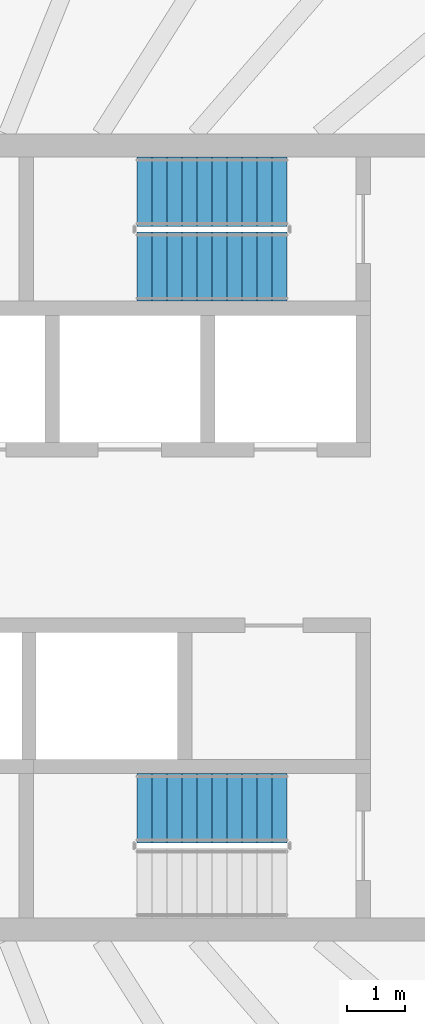
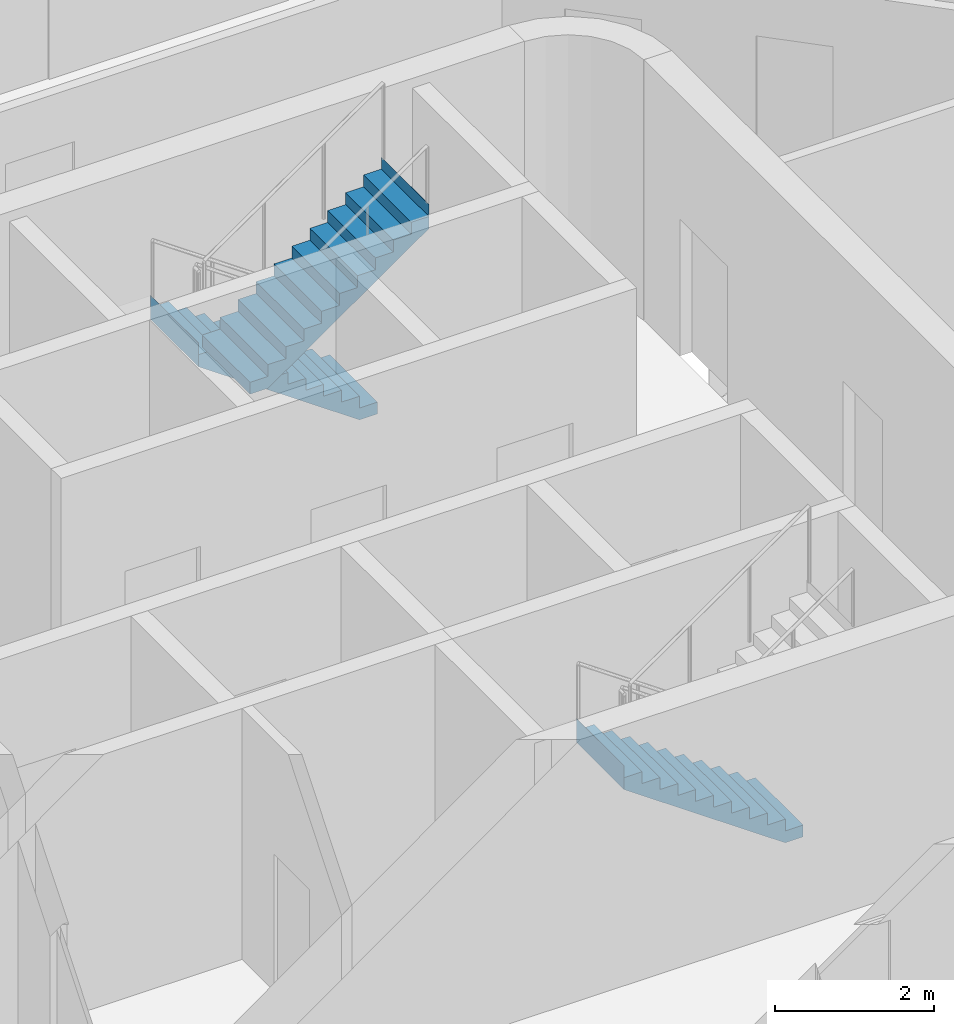
# One storey, part 12 of 17: 3 stair flights, 2 elements without a shape of their own.
"""IFC4 building model written with IfcOpenShell, lengths in metres."""

from ifc_helpers import new_model, si_unit, direction, frame, origin, place, context, subcontext, project, spatial, triangles, material, type_object, element, aggregate, save


model = new_model("IFC4")

# Units and contexts
model_context = context("Model", 3, precision=1e-05, world=origin(), true_north=direction((0.0, 1.0)))
body_context = subcontext(model_context, "Body", "Model", "MODEL_VIEW")
ifc_project = project(units=[si_unit("LENGTHUNIT", "METRE"), si_unit("AREAUNIT", "SQUARE_METRE"), si_unit("VOLUMEUNIT", "CUBIC_METRE"), si_unit("PLANEANGLEUNIT", "RADIAN"), si_unit("MASSUNIT", "GRAM", prefix="KILO")], contexts=[model_context])

# Site, building, storey
site_placement = place(None, origin())
site = spatial("IfcSite", under=ifc_project, at=site_placement, CompositionType="ELEMENT")
building_placement = place(site_placement, origin())
building = spatial("IfcBuilding", under=site, at=building_placement, Name="Sahrelin Media Tower", CompositionType="ELEMENT")
storey_placement = place(building_placement, frame((0.0, 0.0, 291.0)))
storey = spatial("IfcBuildingStorey", under=building, at=storey_placement, Name="L64", CompositionType="ELEMENT", Elevation=291.0)

# Stair, stair flights
ifc_material = material(Name="Concrete C40/50", Category="concrete")
stair_type = type_object("IfcStairType", Name="Exit stair 1200", PredefinedType="HALF_TURN_STAIR", material=ifc_material)
placement = place(storey_placement, origin())
stair_1 = element("IfcStair", 1, at=placement, inside=storey, type_object=stair_type, Name="L64 Exit stair ST3", PredefinedType="HALF_TURN_STAIR")
stair_flight_type = type_object("IfcStairFlightType", Name="Stair flight 1200", PredefinedType="STRAIGHT", material=ifc_material)
stair_flight_1_placement = place(storey_placement, frame((7.675048828125, 6.0, 0.0), z_axis=(0.0, 0.0, 1.0), x_axis=(-1.0, 0.0, 0.0)))
stair_flight_1 = element("IfcStairFlight", 2, at=stair_flight_1_placement, type_object=stair_flight_type, Name="ST3 flight 1", NumberOfRisers=11, NumberOfTreads=10, PredefinedType="STRAIGHT", RiserHeight=0.181818182, TreadLength=0.26, context=body_context, shape_type="Tessellation", body=[
    triangles([(0.261474609375, 0.60009765625, 0.0), (0.261474609375, 0.300048828125, 0.0), (0.261474609375, 0.0, 0.0), (0.261474609375, -0.300048828125, 0.0), (0.261474609375, -0.60009765625, 0.0), (2.60009765625, 0.60009765625, 1.63525390625), (2.60009765625, 0.300048828125, 1.63525390625), (2.60009765625, 0.0, 1.63525390625), (2.60009765625, -0.300048828125, 1.63525390625), (2.60009765625, -0.60009765625, 1.63525390625), (2.60009765625, 0.60009765625, 2.0), (2.60009765625, 0.300048828125, 2.0), (2.60009765625, 0.0, 2.0), (2.60009765625, -0.300048828125, 2.0), (2.60009765625, -0.60009765625, 2.0), (2.597900390625, 0.60009765625, 2.0), (2.597900390625, 0.300048828125, 2.0), (2.597900390625, 0.0, 2.0), (2.597900390625, -0.300048828125, 2.0), (2.597900390625, -0.60009765625, 2.0), (2.597900390625, 0.60009765625, 1.818115234375), (2.597900390625, 0.300048828125, 1.818115234375), (2.597900390625, 0.0, 1.818115234375), (2.597900390625, -0.300048828125, 1.818115234375), (2.597900390625, -0.60009765625, 1.818115234375), (2.340087890625, 0.60009765625, 1.818115234375), (2.340087890625, 0.300048828125, 1.818115234375), (2.340087890625, 0.0, 1.818115234375), (2.340087890625, -0.300048828125, 1.818115234375), (2.340087890625, -0.60009765625, 1.818115234375), (2.340087890625, 0.60009765625, 1.636474609375), (2.340087890625, 0.300048828125, 1.636474609375), (2.340087890625, 0.0, 1.636474609375), (2.340087890625, -0.300048828125, 1.636474609375), (2.340087890625, -0.60009765625, 1.636474609375), (2.080078125, 0.60009765625, 1.636474609375), (2.080078125, 0.300048828125, 1.636474609375), (2.080078125, 0.0, 1.636474609375), (2.080078125, -0.300048828125, 1.636474609375), (2.080078125, -0.60009765625, 1.636474609375), (2.080078125, 0.60009765625, 1.45458984375), (2.080078125, 0.300048828125, 1.45458984375), (2.080078125, 0.0, 1.45458984375), (2.080078125, -0.300048828125, 1.45458984375), (2.080078125, -0.60009765625, 1.45458984375), (1.820068359375, 0.60009765625, 1.45458984375), (1.820068359375, 0.300048828125, 1.45458984375), (1.820068359375, 0.0, 1.45458984375), (1.820068359375, -0.300048828125, 1.45458984375), (1.820068359375, -0.60009765625, 1.45458984375), (1.820068359375, 0.60009765625, 1.272705078125), (1.820068359375, 0.300048828125, 1.272705078125), (1.820068359375, 0.0, 1.272705078125), (1.820068359375, -0.300048828125, 1.272705078125), (1.820068359375, -0.60009765625, 1.272705078125), (1.56005859375, 0.60009765625, 1.272705078125), (1.56005859375, 0.300048828125, 1.272705078125), (1.56005859375, 0.0, 1.272705078125), (1.56005859375, -0.300048828125, 1.272705078125), (1.56005859375, -0.60009765625, 1.272705078125), (1.56005859375, 0.60009765625, 1.0908203125), (1.56005859375, 0.300048828125, 1.0908203125), (1.56005859375, 0.0, 1.0908203125), (1.56005859375, -0.300048828125, 1.0908203125), (1.56005859375, -0.60009765625, 1.0908203125), (1.300048828125, 0.60009765625, 1.0908203125), (1.300048828125, 0.300048828125, 1.0908203125), (1.300048828125, 0.0, 1.0908203125), (1.300048828125, -0.300048828125, 1.0908203125), (1.300048828125, -0.60009765625, 1.0908203125), (1.300048828125, 0.60009765625, 0.9091796875), (1.300048828125, 0.300048828125, 0.9091796875), (1.300048828125, 0.0, 0.9091796875), (1.300048828125, -0.300048828125, 0.9091796875), (1.300048828125, -0.60009765625, 0.9091796875), (1.0400390625, 0.60009765625, 0.9091796875), (1.0400390625, 0.300048828125, 0.9091796875), (1.0400390625, 0.0, 0.9091796875), (1.0400390625, -0.300048828125, 0.9091796875), (1.0400390625, -0.60009765625, 0.9091796875), (1.0400390625, 0.60009765625, 0.727294921875), (1.0400390625, 0.300048828125, 0.727294921875), (1.0400390625, 0.0, 0.727294921875), (1.0400390625, -0.300048828125, 0.727294921875), (1.0400390625, -0.60009765625, 0.727294921875), (0.780029296875, 0.60009765625, 0.727294921875), (0.780029296875, 0.300048828125, 0.727294921875), (0.780029296875, 0.0, 0.727294921875), (0.780029296875, -0.300048828125, 0.727294921875), (0.780029296875, -0.60009765625, 0.727294921875), (0.780029296875, 0.60009765625, 0.54541015625), (0.780029296875, 0.300048828125, 0.54541015625), (0.780029296875, 0.0, 0.54541015625), (0.780029296875, -0.300048828125, 0.54541015625), (0.780029296875, -0.60009765625, 0.54541015625), (0.52001953125, 0.60009765625, 0.54541015625), (0.52001953125, 0.300048828125, 0.54541015625), (0.52001953125, 0.0, 0.54541015625), (0.52001953125, -0.300048828125, 0.54541015625), (0.52001953125, -0.60009765625, 0.54541015625), (0.52001953125, 0.60009765625, 0.363525390625), (0.52001953125, 0.300048828125, 0.363525390625), (0.52001953125, 0.0, 0.363525390625), (0.52001953125, -0.300048828125, 0.363525390625), (0.52001953125, -0.60009765625, 0.363525390625), (0.260009765625, 0.60009765625, 0.363525390625), (0.260009765625, 0.300048828125, 0.363525390625), (0.260009765625, 0.0, 0.363525390625), (0.260009765625, -0.300048828125, 0.363525390625), (0.260009765625, -0.60009765625, 0.363525390625), (0.260009765625, 0.60009765625, 0.181884765625), (0.260009765625, 0.300048828125, 0.181884765625), (0.260009765625, 0.0, 0.181884765625), (0.260009765625, -0.300048828125, 0.181884765625), (0.260009765625, -0.60009765625, 0.181884765625), (0.0, 0.60009765625, 0.181884765625), (0.0, 0.300048828125, 0.181884765625), (0.0, 0.0, 0.181884765625), (0.0, -0.300048828125, 0.181884765625), (0.0, -0.60009765625, 0.181884765625), (0.0, 0.60009765625, 0.0), (0.0, 0.300048828125, 0.0), (0.0, 0.0, 0.0), (0.0, -0.300048828125, 0.0), (0.0, -0.60009765625, 0.0)], [[1, 6, 7], [1, 7, 2], [2, 7, 8], [2, 8, 3], [3, 8, 9], [3, 9, 4], [4, 9, 10], [4, 10, 5], [6, 11, 12], [6, 12, 7], [7, 12, 13], [7, 13, 8], [8, 13, 14], [8, 14, 9], [9, 14, 15], [9, 15, 10], [11, 16, 17], [11, 17, 12], [12, 17, 18], [12, 18, 13], [13, 18, 19], [13, 19, 14], [14, 19, 20], [14, 20, 15], [16, 21, 22], [16, 22, 17], [17, 22, 23], [17, 23, 18], [18, 23, 24], [18, 24, 19], [19, 24, 25], [19, 25, 20], [21, 26, 27], [21, 27, 22], [22, 27, 28], [22, 28, 23], [23, 28, 29], [23, 29, 24], [24, 29, 30], [24, 30, 25], [26, 31, 32], [26, 32, 27], [27, 32, 33], [27, 33, 28], [28, 33, 34], [28, 34, 29], [29, 34, 35], [29, 35, 30], [31, 36, 37], [31, 37, 32], [32, 37, 38], [32, 38, 33], [33, 38, 39], [33, 39, 34], [34, 39, 40], [34, 40, 35], [36, 41, 42], [36, 42, 37], [37, 42, 43], [37, 43, 38], [38, 43, 44], [38, 44, 39], [39, 44, 45], [39, 45, 40], [41, 46, 47], [41, 47, 42], [42, 47, 48], [42, 48, 43], [43, 48, 49], [43, 49, 44], [44, 49, 50], [44, 50, 45], [46, 51, 52], [46, 52, 47], [47, 52, 53], [47, 53, 48], [48, 53, 54], [48, 54, 49], [49, 54, 55], [49, 55, 50], [51, 56, 57], [51, 57, 52], [52, 57, 58], [52, 58, 53], [53, 58, 59], [53, 59, 54], [54, 59, 60], [54, 60, 55], [56, 61, 62], [56, 62, 57], [57, 62, 63], [57, 63, 58], [58, 63, 64], [58, 64, 59], [59, 64, 65], [59, 65, 60], [61, 66, 67], [61, 67, 62], [62, 67, 68], [62, 68, 63], [63, 68, 69], [63, 69, 64], [64, 69, 70], [64, 70, 65], [66, 71, 72], [66, 72, 67], [67, 72, 73], [67, 73, 68], [68, 73, 74], [68, 74, 69], [69, 74, 75], [69, 75, 70], [71, 76, 77], [71, 77, 72], [72, 77, 78], [72, 78, 73], [73, 78, 79], [73, 79, 74], [74, 79, 80], [74, 80, 75], [76, 81, 82], [76, 82, 77], [77, 82, 83], [77, 83, 78], [78, 83, 84], [78, 84, 79], [79, 84, 85], [79, 85, 80], [81, 86, 87], [81, 87, 82], [82, 87, 88], [82, 88, 83], [83, 88, 89], [83, 89, 84], [84, 89, 90], [84, 90, 85], [86, 91, 92], [86, 92, 87], [87, 92, 93], [87, 93, 88], [88, 93, 94], [88, 94, 89], [89, 94, 95], [89, 95, 90], [91, 96, 97], [91, 97, 92], [92, 97, 98], [92, 98, 93], [93, 98, 99], [93, 99, 94], [94, 99, 100], [94, 100, 95], [96, 101, 102], [96, 102, 97], [97, 102, 103], [97, 103, 98], [98, 103, 104], [98, 104, 99], [99, 104, 105], [99, 105, 100], [101, 106, 107], [101, 107, 102], [102, 107, 108], [102, 108, 103], [103, 108, 109], [103, 109, 104], [104, 109, 110], [104, 110, 105], [106, 111, 112], [106, 112, 107], [107, 112, 113], [107, 113, 108], [108, 113, 114], [108, 114, 109], [109, 114, 115], [109, 115, 110], [111, 116, 117], [111, 117, 112], [112, 117, 118], [112, 118, 113], [113, 118, 119], [113, 119, 114], [114, 119, 120], [114, 120, 115], [116, 121, 122], [116, 122, 117], [117, 122, 123], [117, 123, 118], [118, 123, 124], [118, 124, 119], [119, 124, 125], [119, 125, 120], [121, 1, 2], [121, 2, 122], [122, 2, 3], [122, 3, 123], [123, 3, 4], [123, 4, 124], [124, 4, 5], [124, 5, 125], [115, 120, 125], [111, 121, 116], [115, 105, 110], [111, 106, 101], [105, 95, 100], [101, 96, 91], [95, 85, 90], [91, 86, 81], [85, 75, 80], [81, 76, 71], [75, 65, 70], [71, 66, 61], [65, 55, 60], [61, 56, 51], [55, 45, 50], [51, 46, 41], [45, 35, 40], [41, 36, 31], [35, 25, 30], [31, 26, 21], [25, 15, 20], [21, 16, 11], [125, 5, 115], [121, 111, 1], [25, 10, 15], [21, 11, 6], [105, 115, 5], [101, 1, 111], [35, 10, 25], [31, 21, 6], [95, 105, 5], [91, 1, 101], [45, 10, 35], [41, 31, 6], [85, 95, 5], [81, 1, 91], [55, 10, 45], [51, 41, 6], [75, 85, 5], [71, 1, 81], [65, 10, 55], [61, 51, 6], [5, 10, 75], [1, 71, 6], [75, 10, 65], [71, 61, 6]], closed=True),
])
stair_flight_2_placement = place(storey_placement, frame((5.074951171875, 4.699951171875, 2.0), z_axis=(0.0, 0.0, 1.0), x_axis=(1.0, 0.0, 0.0)))
stair_flight_2 = element("IfcStairFlight", 3, at=stair_flight_2_placement, type_object=stair_flight_type, Name="ST3 flight 2", NumberOfRisers=11, NumberOfTreads=10, PredefinedType="STRAIGHT", RiserHeight=0.181818182, TreadLength=0.26, context=body_context, shape_type="Tessellation", body=[
    triangles([(0.261474609375, 0.60009765625, 0.0), (0.261474609375, 0.300048828125, 0.0), (0.261474609375, 0.0, 0.0), (0.261474609375, -0.300048828125, 0.0), (0.261474609375, -0.60009765625, 0.0), (2.60009765625, 0.60009765625, 1.63525390625), (2.60009765625, 0.300048828125, 1.63525390625), (2.60009765625, 0.0, 1.63525390625), (2.60009765625, -0.300048828125, 1.63525390625), (2.60009765625, -0.60009765625, 1.63525390625), (2.60009765625, 0.60009765625, 2.0), (2.60009765625, 0.300048828125, 2.0), (2.60009765625, 0.0, 2.0), (2.60009765625, -0.300048828125, 2.0), (2.60009765625, -0.60009765625, 2.0), (2.597900390625, 0.60009765625, 2.0), (2.597900390625, 0.300048828125, 2.0), (2.597900390625, 0.0, 2.0), (2.597900390625, -0.300048828125, 2.0), (2.597900390625, -0.60009765625, 2.0), (2.597900390625, 0.60009765625, 1.818115234375), (2.597900390625, 0.300048828125, 1.818115234375), (2.597900390625, 0.0, 1.818115234375), (2.597900390625, -0.300048828125, 1.818115234375), (2.597900390625, -0.60009765625, 1.818115234375), (2.340087890625, 0.60009765625, 1.818115234375), (2.340087890625, 0.300048828125, 1.818115234375), (2.340087890625, 0.0, 1.818115234375), (2.340087890625, -0.300048828125, 1.818115234375), (2.340087890625, -0.60009765625, 1.818115234375), (2.340087890625, 0.60009765625, 1.636474609375), (2.340087890625, 0.300048828125, 1.636474609375), (2.340087890625, 0.0, 1.636474609375), (2.340087890625, -0.300048828125, 1.636474609375), (2.340087890625, -0.60009765625, 1.636474609375), (2.080078125, 0.60009765625, 1.636474609375), (2.080078125, 0.300048828125, 1.636474609375), (2.080078125, 0.0, 1.636474609375), (2.080078125, -0.300048828125, 1.636474609375), (2.080078125, -0.60009765625, 1.636474609375), (2.080078125, 0.60009765625, 1.45458984375), (2.080078125, 0.300048828125, 1.45458984375), (2.080078125, 0.0, 1.45458984375), (2.080078125, -0.300048828125, 1.45458984375), (2.080078125, -0.60009765625, 1.45458984375), (1.820068359375, 0.60009765625, 1.45458984375), (1.820068359375, 0.300048828125, 1.45458984375), (1.820068359375, 0.0, 1.45458984375), (1.820068359375, -0.300048828125, 1.45458984375), (1.820068359375, -0.60009765625, 1.45458984375), (1.820068359375, 0.60009765625, 1.272705078125), (1.820068359375, 0.300048828125, 1.272705078125), (1.820068359375, 0.0, 1.272705078125), (1.820068359375, -0.300048828125, 1.272705078125), (1.820068359375, -0.60009765625, 1.272705078125), (1.56005859375, 0.60009765625, 1.272705078125), (1.56005859375, 0.300048828125, 1.272705078125), (1.56005859375, 0.0, 1.272705078125), (1.56005859375, -0.300048828125, 1.272705078125), (1.56005859375, -0.60009765625, 1.272705078125), (1.56005859375, 0.60009765625, 1.0908203125), (1.56005859375, 0.300048828125, 1.0908203125), (1.56005859375, 0.0, 1.0908203125), (1.56005859375, -0.300048828125, 1.0908203125), (1.56005859375, -0.60009765625, 1.0908203125), (1.300048828125, 0.60009765625, 1.0908203125), (1.300048828125, 0.300048828125, 1.0908203125), (1.300048828125, 0.0, 1.0908203125), (1.300048828125, -0.300048828125, 1.0908203125), (1.300048828125, -0.60009765625, 1.0908203125), (1.300048828125, 0.60009765625, 0.9091796875), (1.300048828125, 0.300048828125, 0.9091796875), (1.300048828125, 0.0, 0.9091796875), (1.300048828125, -0.300048828125, 0.9091796875), (1.300048828125, -0.60009765625, 0.9091796875), (1.0400390625, 0.60009765625, 0.9091796875), (1.0400390625, 0.300048828125, 0.9091796875), (1.0400390625, 0.0, 0.9091796875), (1.0400390625, -0.300048828125, 0.9091796875), (1.0400390625, -0.60009765625, 0.9091796875), (1.0400390625, 0.60009765625, 0.727294921875), (1.0400390625, 0.300048828125, 0.727294921875), (1.0400390625, 0.0, 0.727294921875), (1.0400390625, -0.300048828125, 0.727294921875), (1.0400390625, -0.60009765625, 0.727294921875), (0.780029296875, 0.60009765625, 0.727294921875), (0.780029296875, 0.300048828125, 0.727294921875), (0.780029296875, 0.0, 0.727294921875), (0.780029296875, -0.300048828125, 0.727294921875), (0.780029296875, -0.60009765625, 0.727294921875), (0.780029296875, 0.60009765625, 0.54541015625), (0.780029296875, 0.300048828125, 0.54541015625), (0.780029296875, 0.0, 0.54541015625), (0.780029296875, -0.300048828125, 0.54541015625), (0.780029296875, -0.60009765625, 0.54541015625), (0.52001953125, 0.60009765625, 0.54541015625), (0.52001953125, 0.300048828125, 0.54541015625), (0.52001953125, 0.0, 0.54541015625), (0.52001953125, -0.300048828125, 0.54541015625), (0.52001953125, -0.60009765625, 0.54541015625), (0.52001953125, 0.60009765625, 0.363525390625), (0.52001953125, 0.300048828125, 0.363525390625), (0.52001953125, 0.0, 0.363525390625), (0.52001953125, -0.300048828125, 0.363525390625), (0.52001953125, -0.60009765625, 0.363525390625), (0.260009765625, 0.60009765625, 0.363525390625), (0.260009765625, 0.300048828125, 0.363525390625), (0.260009765625, 0.0, 0.363525390625), (0.260009765625, -0.300048828125, 0.363525390625), (0.260009765625, -0.60009765625, 0.363525390625), (0.260009765625, 0.60009765625, 0.181884765625), (0.260009765625, 0.300048828125, 0.181884765625), (0.260009765625, 0.0, 0.181884765625), (0.260009765625, -0.300048828125, 0.181884765625), (0.260009765625, -0.60009765625, 0.181884765625), (0.0, 0.60009765625, 0.181884765625), (0.0, 0.300048828125, 0.181884765625), (0.0, 0.0, 0.181884765625), (0.0, -0.300048828125, 0.181884765625), (0.0, -0.60009765625, 0.181884765625), (0.0, 0.60009765625, 0.0), (0.0, 0.300048828125, 0.0), (0.0, 0.0, 0.0), (0.0, -0.300048828125, 0.0), (0.0, -0.60009765625, 0.0)], [[1, 6, 7], [1, 7, 2], [2, 7, 8], [2, 8, 3], [3, 8, 9], [3, 9, 4], [4, 9, 10], [4, 10, 5], [6, 11, 12], [6, 12, 7], [7, 12, 13], [7, 13, 8], [8, 13, 14], [8, 14, 9], [9, 14, 15], [9, 15, 10], [11, 16, 17], [11, 17, 12], [12, 17, 18], [12, 18, 13], [13, 18, 19], [13, 19, 14], [14, 19, 20], [14, 20, 15], [16, 21, 22], [16, 22, 17], [17, 22, 23], [17, 23, 18], [18, 23, 24], [18, 24, 19], [19, 24, 25], [19, 25, 20], [21, 26, 27], [21, 27, 22], [22, 27, 28], [22, 28, 23], [23, 28, 29], [23, 29, 24], [24, 29, 30], [24, 30, 25], [26, 31, 32], [26, 32, 27], [27, 32, 33], [27, 33, 28], [28, 33, 34], [28, 34, 29], [29, 34, 35], [29, 35, 30], [31, 36, 37], [31, 37, 32], [32, 37, 38], [32, 38, 33], [33, 38, 39], [33, 39, 34], [34, 39, 40], [34, 40, 35], [36, 41, 42], [36, 42, 37], [37, 42, 43], [37, 43, 38], [38, 43, 44], [38, 44, 39], [39, 44, 45], [39, 45, 40], [41, 46, 47], [41, 47, 42], [42, 47, 48], [42, 48, 43], [43, 48, 49], [43, 49, 44], [44, 49, 50], [44, 50, 45], [46, 51, 52], [46, 52, 47], [47, 52, 53], [47, 53, 48], [48, 53, 54], [48, 54, 49], [49, 54, 55], [49, 55, 50], [51, 56, 57], [51, 57, 52], [52, 57, 58], [52, 58, 53], [53, 58, 59], [53, 59, 54], [54, 59, 60], [54, 60, 55], [56, 61, 62], [56, 62, 57], [57, 62, 63], [57, 63, 58], [58, 63, 64], [58, 64, 59], [59, 64, 65], [59, 65, 60], [61, 66, 67], [61, 67, 62], [62, 67, 68], [62, 68, 63], [63, 68, 69], [63, 69, 64], [64, 69, 70], [64, 70, 65], [66, 71, 72], [66, 72, 67], [67, 72, 73], [67, 73, 68], [68, 73, 74], [68, 74, 69], [69, 74, 75], [69, 75, 70], [71, 76, 77], [71, 77, 72], [72, 77, 78], [72, 78, 73], [73, 78, 79], [73, 79, 74], [74, 79, 80], [74, 80, 75], [76, 81, 82], [76, 82, 77], [77, 82, 83], [77, 83, 78], [78, 83, 84], [78, 84, 79], [79, 84, 85], [79, 85, 80], [81, 86, 87], [81, 87, 82], [82, 87, 88], [82, 88, 83], [83, 88, 89], [83, 89, 84], [84, 89, 90], [84, 90, 85], [86, 91, 92], [86, 92, 87], [87, 92, 93], [87, 93, 88], [88, 93, 94], [88, 94, 89], [89, 94, 95], [89, 95, 90], [91, 96, 97], [91, 97, 92], [92, 97, 98], [92, 98, 93], [93, 98, 99], [93, 99, 94], [94, 99, 100], [94, 100, 95], [96, 101, 102], [96, 102, 97], [97, 102, 103], [97, 103, 98], [98, 103, 104], [98, 104, 99], [99, 104, 105], [99, 105, 100], [101, 106, 107], [101, 107, 102], [102, 107, 108], [102, 108, 103], [103, 108, 109], [103, 109, 104], [104, 109, 110], [104, 110, 105], [106, 111, 112], [106, 112, 107], [107, 112, 113], [107, 113, 108], [108, 113, 114], [108, 114, 109], [109, 114, 115], [109, 115, 110], [111, 116, 117], [111, 117, 112], [112, 117, 118], [112, 118, 113], [113, 118, 119], [113, 119, 114], [114, 119, 120], [114, 120, 115], [116, 121, 122], [116, 122, 117], [117, 122, 123], [117, 123, 118], [118, 123, 124], [118, 124, 119], [119, 124, 125], [119, 125, 120], [121, 1, 2], [121, 2, 122], [122, 2, 3], [122, 3, 123], [123, 3, 4], [123, 4, 124], [124, 4, 5], [124, 5, 125], [115, 120, 125], [111, 121, 116], [115, 105, 110], [111, 106, 101], [105, 95, 100], [101, 96, 91], [95, 85, 90], [91, 86, 81], [85, 75, 80], [81, 76, 71], [75, 65, 70], [71, 66, 61], [65, 55, 60], [61, 56, 51], [55, 45, 50], [51, 46, 41], [45, 35, 40], [41, 36, 31], [35, 25, 30], [31, 26, 21], [25, 15, 20], [21, 16, 11], [125, 5, 115], [121, 111, 1], [25, 10, 15], [21, 11, 6], [105, 115, 5], [101, 1, 111], [35, 10, 25], [31, 21, 6], [95, 105, 5], [91, 1, 101], [45, 10, 35], [41, 31, 6], [85, 95, 5], [81, 1, 91], [55, 10, 45], [51, 41, 6], [75, 85, 5], [71, 1, 81], [65, 10, 55], [61, 51, 6], [5, 10, 75], [1, 71, 6], [75, 10, 65], [71, 61, 6]], closed=True),
])
aggregate(stair_1, [stair_flight_1, stair_flight_2])

# Stair, stair flight
stair_2 = element("IfcStair", 4, at=placement, inside=storey, type_object=stair_type, Name="L64 Exit stair ST2", PredefinedType="HALF_TURN_STAIR")
stair_flight_3_placement = place(storey_placement, frame((7.675048828125, -4.699951171875, 0.0), z_axis=(0.0, 0.0, 1.0), x_axis=(-1.0, 0.0, 0.0)))
stair_flight_3 = element("IfcStairFlight", 5, at=stair_flight_3_placement, type_object=stair_flight_type, Name="ST2 flight 1", NumberOfRisers=11, NumberOfTreads=10, PredefinedType="STRAIGHT", RiserHeight=0.181818182, TreadLength=0.26, context=body_context, shape_type="Tessellation", body=[
    triangles([(0.261474609375, 0.60009765625, 0.0), (0.261474609375, 0.300048828125, 0.0), (0.261474609375, 0.0, 0.0), (0.261474609375, -0.300048828125, 0.0), (0.261474609375, -0.60009765625, 0.0), (2.60009765625, 0.60009765625, 1.63525390625), (2.60009765625, 0.300048828125, 1.63525390625), (2.60009765625, 0.0, 1.63525390625), (2.60009765625, -0.300048828125, 1.63525390625), (2.60009765625, -0.60009765625, 1.63525390625), (2.60009765625, 0.60009765625, 2.0), (2.60009765625, 0.300048828125, 2.0), (2.60009765625, 0.0, 2.0), (2.60009765625, -0.300048828125, 2.0), (2.60009765625, -0.60009765625, 2.0), (2.597900390625, 0.60009765625, 2.0), (2.597900390625, 0.300048828125, 2.0), (2.597900390625, 0.0, 2.0), (2.597900390625, -0.300048828125, 2.0), (2.597900390625, -0.60009765625, 2.0), (2.597900390625, 0.60009765625, 1.818115234375), (2.597900390625, 0.300048828125, 1.818115234375), (2.597900390625, 0.0, 1.818115234375), (2.597900390625, -0.300048828125, 1.818115234375), (2.597900390625, -0.60009765625, 1.818115234375), (2.340087890625, 0.60009765625, 1.818115234375), (2.340087890625, 0.300048828125, 1.818115234375), (2.340087890625, 0.0, 1.818115234375), (2.340087890625, -0.300048828125, 1.818115234375), (2.340087890625, -0.60009765625, 1.818115234375), (2.340087890625, 0.60009765625, 1.636474609375), (2.340087890625, 0.300048828125, 1.636474609375), (2.340087890625, 0.0, 1.636474609375), (2.340087890625, -0.300048828125, 1.636474609375), (2.340087890625, -0.60009765625, 1.636474609375), (2.080078125, 0.60009765625, 1.636474609375), (2.080078125, 0.300048828125, 1.636474609375), (2.080078125, 0.0, 1.636474609375), (2.080078125, -0.300048828125, 1.636474609375), (2.080078125, -0.60009765625, 1.636474609375), (2.080078125, 0.60009765625, 1.45458984375), (2.080078125, 0.300048828125, 1.45458984375), (2.080078125, 0.0, 1.45458984375), (2.080078125, -0.300048828125, 1.45458984375), (2.080078125, -0.60009765625, 1.45458984375), (1.820068359375, 0.60009765625, 1.45458984375), (1.820068359375, 0.300048828125, 1.45458984375), (1.820068359375, 0.0, 1.45458984375), (1.820068359375, -0.300048828125, 1.45458984375), (1.820068359375, -0.60009765625, 1.45458984375), (1.820068359375, 0.60009765625, 1.272705078125), (1.820068359375, 0.300048828125, 1.272705078125), (1.820068359375, 0.0, 1.272705078125), (1.820068359375, -0.300048828125, 1.272705078125), (1.820068359375, -0.60009765625, 1.272705078125), (1.56005859375, 0.60009765625, 1.272705078125), (1.56005859375, 0.300048828125, 1.272705078125), (1.56005859375, 0.0, 1.272705078125), (1.56005859375, -0.300048828125, 1.272705078125), (1.56005859375, -0.60009765625, 1.272705078125), (1.56005859375, 0.60009765625, 1.0908203125), (1.56005859375, 0.300048828125, 1.0908203125), (1.56005859375, 0.0, 1.0908203125), (1.56005859375, -0.300048828125, 1.0908203125), (1.56005859375, -0.60009765625, 1.0908203125), (1.300048828125, 0.60009765625, 1.0908203125), (1.300048828125, 0.300048828125, 1.0908203125), (1.300048828125, 0.0, 1.0908203125), (1.300048828125, -0.300048828125, 1.0908203125), (1.300048828125, -0.60009765625, 1.0908203125), (1.300048828125, 0.60009765625, 0.9091796875), (1.300048828125, 0.300048828125, 0.9091796875), (1.300048828125, 0.0, 0.9091796875), (1.300048828125, -0.300048828125, 0.9091796875), (1.300048828125, -0.60009765625, 0.9091796875), (1.0400390625, 0.60009765625, 0.9091796875), (1.0400390625, 0.300048828125, 0.9091796875), (1.0400390625, 0.0, 0.9091796875), (1.0400390625, -0.300048828125, 0.9091796875), (1.0400390625, -0.60009765625, 0.9091796875), (1.0400390625, 0.60009765625, 0.727294921875), (1.0400390625, 0.300048828125, 0.727294921875), (1.0400390625, 0.0, 0.727294921875), (1.0400390625, -0.300048828125, 0.727294921875), (1.0400390625, -0.60009765625, 0.727294921875), (0.780029296875, 0.60009765625, 0.727294921875), (0.780029296875, 0.300048828125, 0.727294921875), (0.780029296875, 0.0, 0.727294921875), (0.780029296875, -0.300048828125, 0.727294921875), (0.780029296875, -0.60009765625, 0.727294921875), (0.780029296875, 0.60009765625, 0.54541015625), (0.780029296875, 0.300048828125, 0.54541015625), (0.780029296875, 0.0, 0.54541015625), (0.780029296875, -0.300048828125, 0.54541015625), (0.780029296875, -0.60009765625, 0.54541015625), (0.52001953125, 0.60009765625, 0.54541015625), (0.52001953125, 0.300048828125, 0.54541015625), (0.52001953125, 0.0, 0.54541015625), (0.52001953125, -0.300048828125, 0.54541015625), (0.52001953125, -0.60009765625, 0.54541015625), (0.52001953125, 0.60009765625, 0.363525390625), (0.52001953125, 0.300048828125, 0.363525390625), (0.52001953125, 0.0, 0.363525390625), (0.52001953125, -0.300048828125, 0.363525390625), (0.52001953125, -0.60009765625, 0.363525390625), (0.260009765625, 0.60009765625, 0.363525390625), (0.260009765625, 0.300048828125, 0.363525390625), (0.260009765625, 0.0, 0.363525390625), (0.260009765625, -0.300048828125, 0.363525390625), (0.260009765625, -0.60009765625, 0.363525390625), (0.260009765625, 0.60009765625, 0.181884765625), (0.260009765625, 0.300048828125, 0.181884765625), (0.260009765625, 0.0, 0.181884765625), (0.260009765625, -0.300048828125, 0.181884765625), (0.260009765625, -0.60009765625, 0.181884765625), (0.0, 0.60009765625, 0.181884765625), (0.0, 0.300048828125, 0.181884765625), (0.0, 0.0, 0.181884765625), (0.0, -0.300048828125, 0.181884765625), (0.0, -0.60009765625, 0.181884765625), (0.0, 0.60009765625, 0.0), (0.0, 0.300048828125, 0.0), (0.0, 0.0, 0.0), (0.0, -0.300048828125, 0.0), (0.0, -0.60009765625, 0.0)], [[1, 6, 7], [1, 7, 2], [2, 7, 8], [2, 8, 3], [3, 8, 9], [3, 9, 4], [4, 9, 10], [4, 10, 5], [6, 11, 12], [6, 12, 7], [7, 12, 13], [7, 13, 8], [8, 13, 14], [8, 14, 9], [9, 14, 15], [9, 15, 10], [11, 16, 17], [11, 17, 12], [12, 17, 18], [12, 18, 13], [13, 18, 19], [13, 19, 14], [14, 19, 20], [14, 20, 15], [16, 21, 22], [16, 22, 17], [17, 22, 23], [17, 23, 18], [18, 23, 24], [18, 24, 19], [19, 24, 25], [19, 25, 20], [21, 26, 27], [21, 27, 22], [22, 27, 28], [22, 28, 23], [23, 28, 29], [23, 29, 24], [24, 29, 30], [24, 30, 25], [26, 31, 32], [26, 32, 27], [27, 32, 33], [27, 33, 28], [28, 33, 34], [28, 34, 29], [29, 34, 35], [29, 35, 30], [31, 36, 37], [31, 37, 32], [32, 37, 38], [32, 38, 33], [33, 38, 39], [33, 39, 34], [34, 39, 40], [34, 40, 35], [36, 41, 42], [36, 42, 37], [37, 42, 43], [37, 43, 38], [38, 43, 44], [38, 44, 39], [39, 44, 45], [39, 45, 40], [41, 46, 47], [41, 47, 42], [42, 47, 48], [42, 48, 43], [43, 48, 49], [43, 49, 44], [44, 49, 50], [44, 50, 45], [46, 51, 52], [46, 52, 47], [47, 52, 53], [47, 53, 48], [48, 53, 54], [48, 54, 49], [49, 54, 55], [49, 55, 50], [51, 56, 57], [51, 57, 52], [52, 57, 58], [52, 58, 53], [53, 58, 59], [53, 59, 54], [54, 59, 60], [54, 60, 55], [56, 61, 62], [56, 62, 57], [57, 62, 63], [57, 63, 58], [58, 63, 64], [58, 64, 59], [59, 64, 65], [59, 65, 60], [61, 66, 67], [61, 67, 62], [62, 67, 68], [62, 68, 63], [63, 68, 69], [63, 69, 64], [64, 69, 70], [64, 70, 65], [66, 71, 72], [66, 72, 67], [67, 72, 73], [67, 73, 68], [68, 73, 74], [68, 74, 69], [69, 74, 75], [69, 75, 70], [71, 76, 77], [71, 77, 72], [72, 77, 78], [72, 78, 73], [73, 78, 79], [73, 79, 74], [74, 79, 80], [74, 80, 75], [76, 81, 82], [76, 82, 77], [77, 82, 83], [77, 83, 78], [78, 83, 84], [78, 84, 79], [79, 84, 85], [79, 85, 80], [81, 86, 87], [81, 87, 82], [82, 87, 88], [82, 88, 83], [83, 88, 89], [83, 89, 84], [84, 89, 90], [84, 90, 85], [86, 91, 92], [86, 92, 87], [87, 92, 93], [87, 93, 88], [88, 93, 94], [88, 94, 89], [89, 94, 95], [89, 95, 90], [91, 96, 97], [91, 97, 92], [92, 97, 98], [92, 98, 93], [93, 98, 99], [93, 99, 94], [94, 99, 100], [94, 100, 95], [96, 101, 102], [96, 102, 97], [97, 102, 103], [97, 103, 98], [98, 103, 104], [98, 104, 99], [99, 104, 105], [99, 105, 100], [101, 106, 107], [101, 107, 102], [102, 107, 108], [102, 108, 103], [103, 108, 109], [103, 109, 104], [104, 109, 110], [104, 110, 105], [106, 111, 112], [106, 112, 107], [107, 112, 113], [107, 113, 108], [108, 113, 114], [108, 114, 109], [109, 114, 115], [109, 115, 110], [111, 116, 117], [111, 117, 112], [112, 117, 118], [112, 118, 113], [113, 118, 119], [113, 119, 114], [114, 119, 120], [114, 120, 115], [116, 121, 122], [116, 122, 117], [117, 122, 123], [117, 123, 118], [118, 123, 124], [118, 124, 119], [119, 124, 125], [119, 125, 120], [121, 1, 2], [121, 2, 122], [122, 2, 3], [122, 3, 123], [123, 3, 4], [123, 4, 124], [124, 4, 5], [124, 5, 125], [115, 120, 125], [111, 121, 116], [115, 105, 110], [111, 106, 101], [105, 95, 100], [101, 96, 91], [95, 85, 90], [91, 86, 81], [85, 75, 80], [81, 76, 71], [75, 65, 70], [71, 66, 61], [65, 55, 60], [61, 56, 51], [55, 45, 50], [51, 46, 41], [45, 35, 40], [41, 36, 31], [35, 25, 30], [31, 26, 21], [25, 15, 20], [21, 16, 11], [125, 5, 115], [121, 111, 1], [25, 10, 15], [21, 11, 6], [105, 115, 5], [101, 1, 111], [35, 10, 25], [31, 21, 6], [95, 105, 5], [91, 1, 101], [45, 10, 35], [41, 31, 6], [85, 95, 5], [81, 1, 91], [55, 10, 45], [51, 41, 6], [75, 85, 5], [71, 1, 81], [65, 10, 55], [61, 51, 6], [5, 10, 75], [1, 71, 6], [75, 10, 65], [71, 61, 6]], closed=True),
])
aggregate(stair_2, [stair_flight_3])

save(model, "model.ifc")
